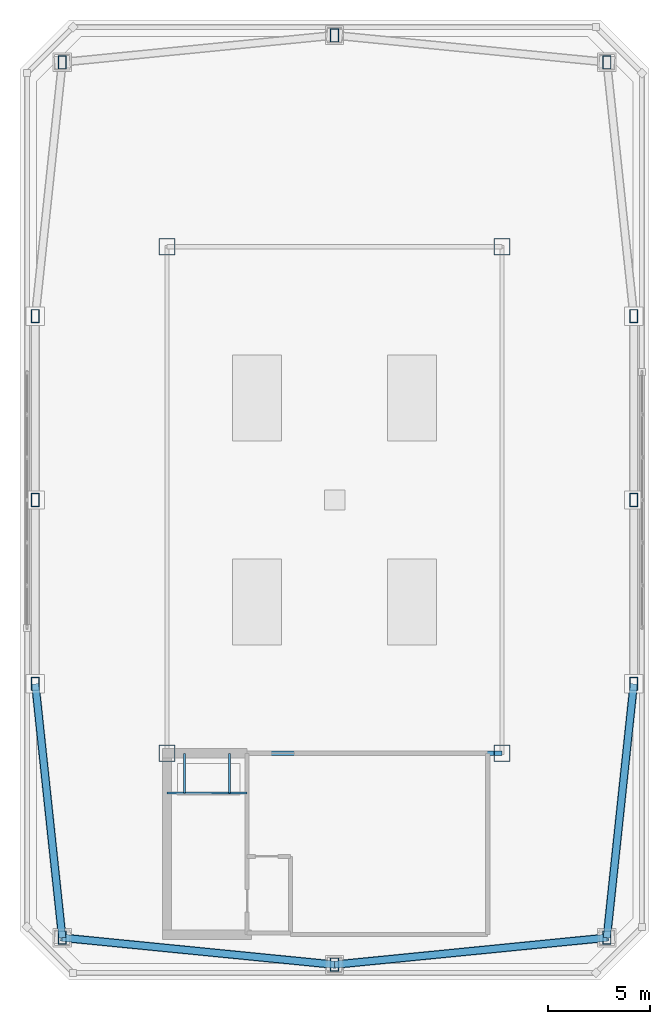
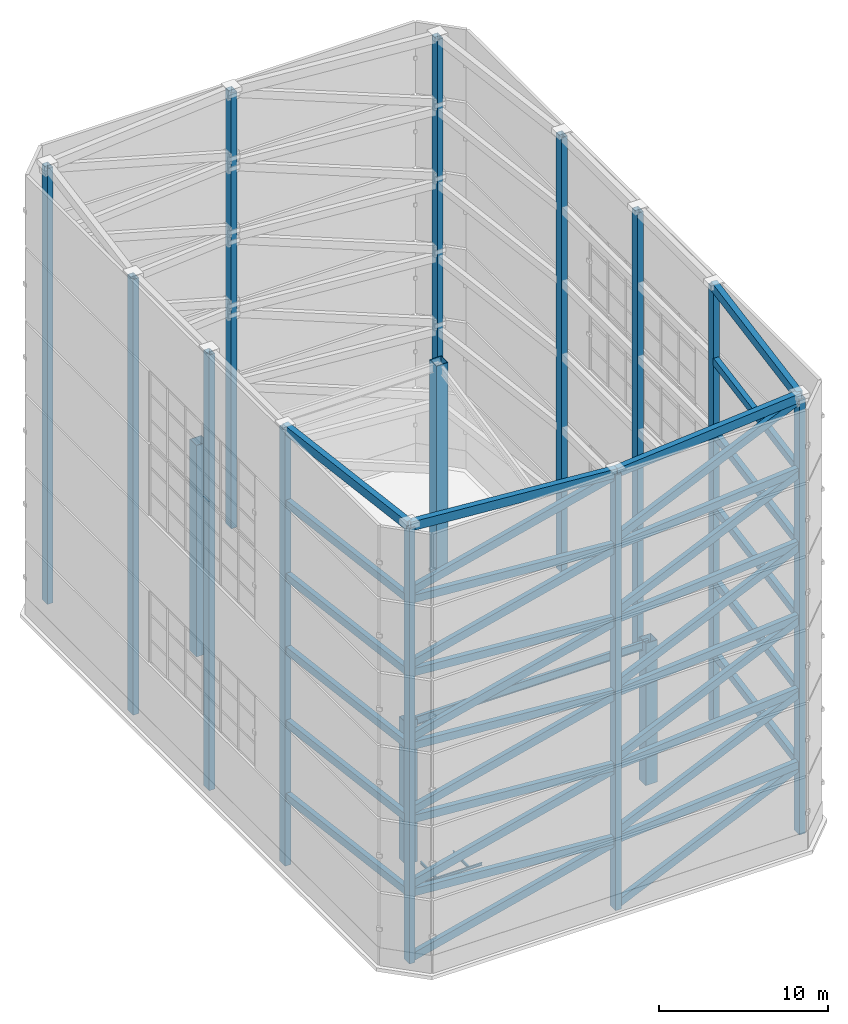
# One storey, part 1 of 47: 28 beams, 16 columns, 12 members.
"""IFC4 building model written with IfcOpenShell, lengths in metres."""

from ifc_helpers import new_model, si_unit, direction, frame, origin, origin_2d, place, context, subcontext, project, spatial, hollow_rectangle, i_section, extrude, material, material_profile, profile_set, type_object, element, save


model = new_model("IFC4")

# Units and contexts
model_context = context("Model", 3, precision=1e-05, world=origin(), true_north=direction((0.0, 1.0)))
body_context = subcontext(model_context, "Body", "Model", "MODEL_VIEW")
ifc_project = project(units=[si_unit("LENGTHUNIT", "METRE"), si_unit("AREAUNIT", "SQUARE_METRE"), si_unit("VOLUMEUNIT", "CUBIC_METRE"), si_unit("PLANEANGLEUNIT", "RADIAN"), si_unit("MASSUNIT", "GRAM", prefix="KILO")], contexts=[model_context])

# Site, building, storey
site_placement = place(None, origin())
site = spatial("IfcSite", under=ifc_project, at=site_placement, CompositionType="ELEMENT")
building_placement = place(site_placement, origin())
building = spatial("IfcBuilding", under=site, at=building_placement, Name="Qiaolan Cultural Towers", CompositionType="ELEMENT")
storey_placement = place(building_placement, frame((0.0, 0.0, 280.199951171875)))
storey = spatial("IfcBuildingStorey", under=building, at=storey_placement, Name="RF", CompositionType="ELEMENT", Elevation=280.199951171875)

# Columns
ifc_material_1 = material(Name="Steel Q355B", Category="steel")
ifc_material_profile_1 = material_profile(ifc_material_1, hollow_rectangle(XDim=0.800048828125, YDim=0.800048828125, WallThickness=0.028076171875, at=origin_2d()), Name="BOX800x800x28")
ifc_profile_set_1 = profile_set([ifc_material_profile_1], Name="Steel Q355B")
column_type_1 = type_object("IfcColumnType", Name="COL-BOX800x800x28", PredefinedType="COLUMN", material=ifc_profile_set_1)
for number, where, z_axis, x_axis, name in (
    (1, (21.800048828125, 21.60009765625, 0.0), (0.0, 0.0, 1.0), (1.0, 0.0, 0.0), "T1 Rooftop Plant Enclosure Column 1"),
    (2, (38.199951171875, 21.60009765625, 0.0), (0.0, 0.0, 1.0), (1.0, 0.0, 0.0), "T1 Rooftop Plant Enclosure Column 2"),
):
    element("IfcColumn", number, at=place(storey_placement, frame(where, z_axis=z_axis, x_axis=x_axis)), inside=storey, type_object=column_type_1, Name=name, PredefinedType="COLUMN", context=body_context, shape_type="SweptSolid", body=[
        extrude(hollow_rectangle(XDim=0.800048828125, YDim=0.800048828125, WallThickness=0.028076171875, at=origin_2d()), origin(), (0.0, 0.0, 1.0), 10.280029296875),
    ])
for number, where, z_axis, x_axis, name in (
    (3, (38.199951171875, 46.39990234375, 0.0), (0.0, 0.0, 1.0), (1.0, 0.0, 0.0), "T1 Rooftop Plant Enclosure Column 3"),
    (4, (21.800048828125, 46.39990234375, 0.0), (0.0, 0.0, 1.0), (1.0, 0.0, 0.0), "T1 Rooftop Plant Enclosure Column 4"),
):
    element("IfcColumn", number, at=place(storey_placement, frame(where, z_axis=z_axis, x_axis=x_axis)), inside=storey, type_object=column_type_1, Name=name, PredefinedType="COLUMN", context=body_context, shape_type="SweptSolid", body=[
        extrude(hollow_rectangle(XDim=0.800048828125, YDim=0.800048828125, WallThickness=0.028076171875, at=origin_2d()), origin(), (0.0, 0.0, 1.0), 15.280029296875),
    ])
ifc_material_2 = material(Name="Steel Q355B", Category="steel")
ifc_material_profile_2 = material_profile(ifc_material_2, hollow_rectangle(XDim=0.39990234375, YDim=0.64990234375, WallThickness=0.02001953125, at=origin_2d()), Name="BOX650x400x20")
ifc_profile_set_2 = profile_set([ifc_material_profile_2], Name="Steel Q355B")
column_type_2 = type_object("IfcColumnType", Name="COL-CROWN-FRAME-11", PredefinedType="COLUMN", material=ifc_profile_set_2)
for number, where, z_axis, x_axis, name in (
    (5, (15.35009765625, 25.0, 0.0), (0.0, 0.0, 1.0), (1.0, 0.0, 0.0), "T1 Crown Frame Post 01 (CROWN FRAME)"),
    (6, (16.669921875, 12.570068359375, 0.0), (0.0, 0.0, 1.0), (1.0, 0.0, 0.0), "T1 Crown Frame Post 02 (CROWN FRAME)"),
    (7, (30.0, 11.25, 0.0), (0.0, 0.0, 1.0), (1.0, 0.0, 0.0), "T1 Crown Frame Post 03 (CROWN FRAME)"),
    (8, (43.330078125, 12.570068359375, 0.0), (0.0, 0.0, 1.0), (1.0, 0.0, 0.0), "T1 Crown Frame Post 04 (CROWN FRAME)"),
    (9, (44.64990234375, 25.0, 0.0), (0.0, 0.0, 1.0), (1.0, 0.0, 0.0), "T1 Crown Frame Post 05 (CROWN FRAME)"),
    (10, (44.64990234375, 34.0, 0.0), (0.0, 0.0, 1.0), (1.0, 0.0, 0.0), "T1 Crown Frame Post 06 (CROWN FRAME)"),
    (11, (44.64990234375, 43.0, 0.0), (0.0, 0.0, 1.0), (1.0, 0.0, 0.0), "T1 Crown Frame Post 07 (CROWN FRAME)"),
    (12, (43.330078125, 55.429931640625, 0.0), (0.0, 0.0, 1.0), (1.0, 0.0, 0.0), "T1 Crown Frame Post 08 (CROWN FRAME)"),
    (13, (30.0, 56.75, 0.0), (0.0, 0.0, 1.0), (1.0, 0.0, 0.0), "T1 Crown Frame Post 09 (CROWN FRAME)"),
    (14, (16.669921875, 55.429931640625, 0.0), (0.0, 0.0, 1.0), (1.0, 0.0, 0.0), "T1 Crown Frame Post 10 (CROWN FRAME)"),
    (15, (15.35009765625, 43.0, 0.0), (0.0, 0.0, 1.0), (1.0, 0.0, 0.0), "T1 Crown Frame Post 11 (CROWN FRAME)"),
    (16, (15.35009765625, 34.0, 0.0), (0.0, 0.0, 1.0), (1.0, 0.0, 0.0), "T1 Crown Frame Post 12 (CROWN FRAME)"),
):
    element("IfcColumn", number, at=place(storey_placement, frame(where, z_axis=z_axis, x_axis=x_axis)), inside=storey, type_object=column_type_2, Name=name, PredefinedType="COLUMN", context=body_context, shape_type="SweptSolid", body=[
        extrude(hollow_rectangle(XDim=0.39990234375, YDim=0.64990234375, WallThickness=0.02001953125, at=origin_2d()), origin(), (0.0, 0.0, 1.0), 31.47509765625),
    ])

# Beams
ifc_material_3 = material(Name="Steel Q355B", Category="steel")
ifc_material_profile_3 = material_profile(ifc_material_3, hollow_rectangle(XDim=0.39990234375, YDim=0.64990234375, WallThickness=0.02001953125, at=origin_2d()), Name="BOX650x400x20")
ifc_profile_set_3 = profile_set([ifc_material_profile_3], Name="Steel Q355B")
beam_type_1 = type_object("IfcBeamType", Name="BM-CROWN-FRAME-1", PredefinedType="BEAM", material=ifc_profile_set_3)
beam_1_placement = place(storey_placement, frame((15.35009765625, 25.0, 31.47509765625), z_axis=(0.105587580773, -0.994410007384, 0.0), x_axis=(0.994410007384, 0.105587580773, 0.0)))
element("IfcBeam", 17, at=beam_1_placement, inside=storey, type_object=beam_type_1, Name="T1 Crown Frame Top Cap Ring Beam T6-1", PredefinedType="BEAM", context=body_context, shape_type="SweptSolid", body=[
    extrude(hollow_rectangle(XDim=0.39990234375, YDim=0.64990234375, WallThickness=0.02001953125, at=origin_2d()), origin(), (0.0, 0.0, 1.0), 12.499755859375),
])
for number, where, z_axis, x_axis, name in (
    (18, (16.669921875, 12.570068359375, 31.47509765625), (0.995132371263, -0.098547266143, 0.0), (0.098547266143, 0.995132371263, 0.0), "T1 Crown Frame Top Cap Ring Beam T6-2"),
    (19, (30.0, 11.25, 31.47509765625), (0.995132371263, 0.098547266143, 0.0), (-0.098547266143, 0.995132371263, 0.0), "T1 Crown Frame Top Cap Ring Beam T6-3"),
):
    element("IfcBeam", number, at=place(storey_placement, frame(where, z_axis=z_axis, x_axis=x_axis)), inside=storey, type_object=beam_type_1, Name=name, PredefinedType="BEAM", context=body_context, shape_type="SweptSolid", body=[
        extrude(hollow_rectangle(XDim=0.39990234375, YDim=0.64990234375, WallThickness=0.02001953125, at=origin_2d()), origin(), (0.0, 0.0, 1.0), 13.395263671875),
    ])
beam_2_placement = place(storey_placement, frame((43.330078125, 12.570068359375, 31.47509765625), z_axis=(0.105587580773, 0.994410007384, 0.0), x_axis=(-0.994410007384, 0.105587580773, 0.0)))
element("IfcBeam", 20, at=beam_2_placement, inside=storey, type_object=beam_type_1, Name="T1 Crown Frame Top Cap Ring Beam T6-4", PredefinedType="BEAM", context=body_context, shape_type="SweptSolid", body=[
    extrude(hollow_rectangle(XDim=0.39990234375, YDim=0.64990234375, WallThickness=0.02001953125, at=origin_2d()), origin(), (0.0, 0.0, 1.0), 12.499755859375),
])
ifc_material_4 = material(Name="Steel Q355B", Category="steel")
ifc_material_profile_4 = material_profile(ifc_material_4, hollow_rectangle(XDim=0.35009765625, YDim=0.550048828125, WallThickness=0.01806640625, at=origin_2d()), Name="BOX550x350x18")
ifc_profile_set_4 = profile_set([ifc_material_profile_4], Name="Steel Q355B")
beam_type_2 = type_object("IfcBeamType", Name="BM-CROWN-FRAME-2", PredefinedType="BEAM", material=ifc_profile_set_4)
beam_3_placement = place(storey_placement, frame((15.35009765625, 25.0, 4.97509765625), z_axis=(0.105587580773, -0.994410007384, 0.0), x_axis=(0.994410007384, 0.105587580773, 0.0)))
element("IfcBeam", 21, at=beam_3_placement, inside=storey, type_object=beam_type_2, Name="T1 Crown Frame Ring Beam T1-1", PredefinedType="BEAM", context=body_context, shape_type="SweptSolid", body=[
    extrude(hollow_rectangle(XDim=0.35009765625, YDim=0.550048828125, WallThickness=0.01806640625, at=origin_2d()), origin(), (0.0, 0.0, 1.0), 12.499755859375),
])
for number, where, z_axis, x_axis, name in (
    (22, (16.669921875, 12.570068359375, 4.97509765625), (0.995132371263, -0.098547266143, 0.0), (0.098547266143, 0.995132371263, 0.0), "T1 Crown Frame Ring Beam T1-2"),
    (23, (30.0, 11.25, 4.97509765625), (0.995132371263, 0.098547266143, 0.0), (-0.098547266143, 0.995132371263, 0.0), "T1 Crown Frame Ring Beam T1-3"),
):
    element("IfcBeam", number, at=place(storey_placement, frame(where, z_axis=z_axis, x_axis=x_axis)), inside=storey, type_object=beam_type_2, Name=name, PredefinedType="BEAM", context=body_context, shape_type="SweptSolid", body=[
        extrude(hollow_rectangle(XDim=0.35009765625, YDim=0.550048828125, WallThickness=0.01806640625, at=origin_2d()), origin(), (0.0, 0.0, 1.0), 13.395263671875),
    ])
for number, where, z_axis, x_axis, name in (
    (24, (43.330078125, 12.570068359375, 4.97509765625), (0.105587580773, 0.994410007384, 0.0), (-0.994410007384, 0.105587580773, 0.0), "T1 Crown Frame Ring Beam T1-4"),
    (25, (15.35009765625, 25.0, 10.275146484375), (0.105587580773, -0.994410007384, 0.0), (0.994410007384, 0.105587580773, 0.0), "T1 Crown Frame Ring Beam T2-1"),
):
    element("IfcBeam", number, at=place(storey_placement, frame(where, z_axis=z_axis, x_axis=x_axis)), inside=storey, type_object=beam_type_2, Name=name, PredefinedType="BEAM", context=body_context, shape_type="SweptSolid", body=[
        extrude(hollow_rectangle(XDim=0.35009765625, YDim=0.550048828125, WallThickness=0.01806640625, at=origin_2d()), origin(), (0.0, 0.0, 1.0), 12.499755859375),
    ])
for number, where, z_axis, x_axis, name in (
    (26, (16.669921875, 12.570068359375, 10.275146484375), (0.995132371263, -0.098547266143, 0.0), (0.098547266143, 0.995132371263, 0.0), "T1 Crown Frame Ring Beam T2-2"),
    (27, (30.0, 11.25, 10.275146484375), (0.995132371263, 0.098547266143, 0.0), (-0.098547266143, 0.995132371263, 0.0), "T1 Crown Frame Ring Beam T2-3"),
):
    element("IfcBeam", number, at=place(storey_placement, frame(where, z_axis=z_axis, x_axis=x_axis)), inside=storey, type_object=beam_type_2, Name=name, PredefinedType="BEAM", context=body_context, shape_type="SweptSolid", body=[
        extrude(hollow_rectangle(XDim=0.35009765625, YDim=0.550048828125, WallThickness=0.01806640625, at=origin_2d()), origin(), (0.0, 0.0, 1.0), 13.395263671875),
    ])
for number, where, z_axis, x_axis, name in (
    (28, (43.330078125, 12.570068359375, 10.275146484375), (0.105587580773, 0.994410007384, 0.0), (-0.994410007384, 0.105587580773, 0.0), "T1 Crown Frame Ring Beam T2-4"),
    (29, (15.35009765625, 25.0, 15.574951171875), (0.105587580773, -0.994410007384, 0.0), (0.994410007384, 0.105587580773, 0.0), "T1 Crown Frame Ring Beam T3-1"),
):
    element("IfcBeam", number, at=place(storey_placement, frame(where, z_axis=z_axis, x_axis=x_axis)), inside=storey, type_object=beam_type_2, Name=name, PredefinedType="BEAM", context=body_context, shape_type="SweptSolid", body=[
        extrude(hollow_rectangle(XDim=0.35009765625, YDim=0.550048828125, WallThickness=0.01806640625, at=origin_2d()), origin(), (0.0, 0.0, 1.0), 12.499755859375),
    ])
for number, where, z_axis, x_axis, name in (
    (30, (16.669921875, 12.570068359375, 15.574951171875), (0.995132371263, -0.098547266143, 0.0), (0.098547266143, 0.995132371263, 0.0), "T1 Crown Frame Ring Beam T3-2"),
    (31, (30.0, 11.25, 15.574951171875), (0.995132371263, 0.098547266143, 0.0), (-0.098547266143, 0.995132371263, 0.0), "T1 Crown Frame Ring Beam T3-3"),
):
    element("IfcBeam", number, at=place(storey_placement, frame(where, z_axis=z_axis, x_axis=x_axis)), inside=storey, type_object=beam_type_2, Name=name, PredefinedType="BEAM", context=body_context, shape_type="SweptSolid", body=[
        extrude(hollow_rectangle(XDim=0.35009765625, YDim=0.550048828125, WallThickness=0.01806640625, at=origin_2d()), origin(), (0.0, 0.0, 1.0), 13.395263671875),
    ])
for number, where, z_axis, x_axis, name in (
    (32, (43.330078125, 12.570068359375, 15.574951171875), (0.105587580773, 0.994410007384, 0.0), (-0.994410007384, 0.105587580773, 0.0), "T1 Crown Frame Ring Beam T3-4"),
    (33, (15.35009765625, 25.0, 20.875), (0.105587580773, -0.994410007384, 0.0), (0.994410007384, 0.105587580773, 0.0), "T1 Crown Frame Ring Beam T4-1"),
):
    element("IfcBeam", number, at=place(storey_placement, frame(where, z_axis=z_axis, x_axis=x_axis)), inside=storey, type_object=beam_type_2, Name=name, PredefinedType="BEAM", context=body_context, shape_type="SweptSolid", body=[
        extrude(hollow_rectangle(XDim=0.35009765625, YDim=0.550048828125, WallThickness=0.01806640625, at=origin_2d()), origin(), (0.0, 0.0, 1.0), 12.499755859375),
    ])
for number, where, z_axis, x_axis, name in (
    (34, (16.669921875, 12.570068359375, 20.875), (0.995132371263, -0.098547266143, 0.0), (0.098547266143, 0.995132371263, 0.0), "T1 Crown Frame Ring Beam T4-2"),
    (35, (30.0, 11.25, 20.875), (0.995132371263, 0.098547266143, 0.0), (-0.098547266143, 0.995132371263, 0.0), "T1 Crown Frame Ring Beam T4-3"),
):
    element("IfcBeam", number, at=place(storey_placement, frame(where, z_axis=z_axis, x_axis=x_axis)), inside=storey, type_object=beam_type_2, Name=name, PredefinedType="BEAM", context=body_context, shape_type="SweptSolid", body=[
        extrude(hollow_rectangle(XDim=0.35009765625, YDim=0.550048828125, WallThickness=0.01806640625, at=origin_2d()), origin(), (0.0, 0.0, 1.0), 13.395263671875),
    ])
for number, where, z_axis, x_axis, name in (
    (36, (43.330078125, 12.570068359375, 20.875), (0.105587580773, 0.994410007384, 0.0), (-0.994410007384, 0.105587580773, 0.0), "T1 Crown Frame Ring Beam T4-4"),
    (37, (15.35009765625, 25.0, 26.175048828125), (0.105587580773, -0.994410007384, 0.0), (0.994410007384, 0.105587580773, 0.0), "T1 Crown Frame Ring Beam T5-1"),
):
    element("IfcBeam", number, at=place(storey_placement, frame(where, z_axis=z_axis, x_axis=x_axis)), inside=storey, type_object=beam_type_2, Name=name, PredefinedType="BEAM", context=body_context, shape_type="SweptSolid", body=[
        extrude(hollow_rectangle(XDim=0.35009765625, YDim=0.550048828125, WallThickness=0.01806640625, at=origin_2d()), origin(), (0.0, 0.0, 1.0), 12.499755859375),
    ])
for number, where, z_axis, x_axis, name in (
    (38, (16.669921875, 12.570068359375, 26.175048828125), (0.995132371263, -0.098547266143, 0.0), (0.098547266143, 0.995132371263, 0.0), "T1 Crown Frame Ring Beam T5-2"),
    (39, (30.0, 11.25, 26.175048828125), (0.995132371263, 0.098547266143, 0.0), (-0.098547266143, 0.995132371263, 0.0), "T1 Crown Frame Ring Beam T5-3"),
):
    element("IfcBeam", number, at=place(storey_placement, frame(where, z_axis=z_axis, x_axis=x_axis)), inside=storey, type_object=beam_type_2, Name=name, PredefinedType="BEAM", context=body_context, shape_type="SweptSolid", body=[
        extrude(hollow_rectangle(XDim=0.35009765625, YDim=0.550048828125, WallThickness=0.01806640625, at=origin_2d()), origin(), (0.0, 0.0, 1.0), 13.395263671875),
    ])
beam_4_placement = place(storey_placement, frame((43.330078125, 12.570068359375, 26.175048828125), z_axis=(0.105587580773, 0.994410007384, 0.0), x_axis=(-0.994410007384, 0.105587580773, 0.0)))
element("IfcBeam", 40, at=beam_4_placement, inside=storey, type_object=beam_type_2, Name="T1 Crown Frame Ring Beam T5-4", PredefinedType="BEAM", context=body_context, shape_type="SweptSolid", body=[
    extrude(hollow_rectangle(XDim=0.35009765625, YDim=0.550048828125, WallThickness=0.01806640625, at=origin_2d()), origin(), (0.0, 0.0, 1.0), 12.499755859375),
])
ifc_material_5 = material(Name="Steel Q355B", Category="steel")
ifc_material_profile_5 = material_profile(ifc_material_5, i_section(OverallWidth=0.199951171875, OverallDepth=0.60009765625, WebThickness=0.010986328125, FlangeThickness=0.01708984375, at=origin_2d()), Name="HN600x200x11x17")
ifc_profile_set_5 = profile_set([ifc_material_profile_5], Name="Steel Q355B")
beam_type_3 = type_object("IfcBeamType", Name="BM-SPD-HN600x200x11x17", PredefinedType="SPANDREL", material=ifc_profile_set_5)
beam_5_placement = place(storey_placement, frame((21.800048828125, 21.60009765625, 9.920166015625), z_axis=(1.0, 0.0, 0.0), x_axis=(0.0, 1.0, 0.0)))
element("IfcBeam", 41, at=beam_5_placement, inside=storey, type_object=beam_type_3, Name="T1 Sloped Plant Roof Edge Rafter 1", PredefinedType="SPANDREL", context=body_context, shape_type="SweptSolid", body=[
    extrude(i_section(OverallWidth=0.199951171875, OverallDepth=0.60009765625, WebThickness=0.010986328125, FlangeThickness=0.01708984375, at=origin_2d()), origin(), (0.0, 0.0, 1.0), 16.39990234375),
])
ifc_material_6 = material(Name="Steel Q355B", Category="steel")
ifc_material_profile_6 = material_profile(ifc_material_6, i_section(OverallWidth=0.10009765625, OverallDepth=0.199951171875, WebThickness=0.005615234375, FlangeThickness=0.008056640625, at=origin_2d()), Name="HN200x100x5.5x8")
ifc_profile_set_6 = profile_set([ifc_material_profile_6], Name="Steel Q355B")
beam_type_4 = type_object("IfcBeamType", Name="BM-STTRIM-200", PredefinedType="BEAM", material=ifc_profile_set_6)
beam_6_placement = place(storey_placement, frame((21.800048828125, 19.659912109375, -0.4599609375), z_axis=(1.0, 0.0, 0.0), x_axis=(0.0, 1.0, 0.0)))
element("IfcBeam", 42, at=beam_6_placement, inside=storey, type_object=beam_type_4, Name="RF ST-W1 Floor Landing Header Beam", PredefinedType="BEAM", context=body_context, shape_type="SweptSolid", body=[
    extrude(i_section(OverallWidth=0.10009765625, OverallDepth=0.199951171875, WebThickness=0.005615234375, FlangeThickness=0.008056640625, at=origin_2d()), origin(), (0.0, 0.0, 1.0), 3.919921875),
])
for number, where, z_axis, x_axis, name in (
    (43, (22.64990234375, 21.60009765625, -0.4599609375), (0.0, -1.0, 0.0), (1.0, 0.0, 0.0), "RF ST-W1 Floor Landing Stringer 1"),
    (44, (24.85009765625, 21.60009765625, -0.4599609375), (0.0, -1.0, 0.0), (1.0, 0.0, 0.0), "RF ST-W1 Floor Landing Stringer 2"),
):
    element("IfcBeam", number, at=place(storey_placement, frame(where, z_axis=z_axis, x_axis=x_axis)), inside=storey, type_object=beam_type_4, Name=name, PredefinedType="BEAM", context=body_context, shape_type="SweptSolid", body=[
        extrude(i_section(OverallWidth=0.10009765625, OverallDepth=0.199951171875, WebThickness=0.005615234375, FlangeThickness=0.008056640625, at=origin_2d()), origin(), (0.0, 0.0, 1.0), 1.940185546875),
    ])

# Members
ifc_material_7 = material(Name="Steel Q355B", Category="steel")
ifc_material_profile_7 = material_profile(ifc_material_7, hollow_rectangle(XDim=0.35009765625, YDim=0.550048828125, WallThickness=0.01806640625, at=origin_2d()), Name="BOX550x350x18")
ifc_profile_set_7 = profile_set([ifc_material_profile_7], Name="Steel Q355B")
member_type = type_object("IfcMemberType", Name="MBR-CROWN-FRAME-12", PredefinedType="USERDEFINED", material=ifc_profile_set_7)
for number, where, z_axis, x_axis, name in (
    (45, (16.669921875, 12.570068359375, 0.25), (0.941722893322, -0.093258162714, 0.323204126336), (0.098547266143, 0.995132371263, 0.0), "T1 Crown Frame Wind Brace T1-2"),
    (46, (30.0, 11.25, 0.25), (0.941722893322, 0.093258162714, 0.323204126336), (-0.098547266143, 0.995132371263, 0.0), "T1 Crown Frame Wind Brace T1-3"),
    (47, (16.669921875, 12.570068359375, 5.550048828125), (0.941722893322, -0.093258162714, 0.323204126336), (0.098547266143, 0.995132371263, 0.0), "T1 Crown Frame Wind Brace T2-2"),
    (48, (30.0, 11.25, 5.550048828125), (0.941722893322, 0.093258162714, 0.323204126336), (-0.098547266143, 0.995132371263, 0.0), "T1 Crown Frame Wind Brace T2-3"),
    (49, (16.669921875, 12.570068359375, 10.85009765625), (0.941722893322, -0.093258162714, 0.323204126336), (0.098547266143, 0.995132371263, 0.0), "T1 Crown Frame Wind Brace T3-2"),
    (50, (30.0, 11.25, 10.85009765625), (0.941722893322, 0.093258162714, 0.323204126336), (-0.098547266143, 0.995132371263, 0.0), "T1 Crown Frame Wind Brace T3-3"),
    (51, (16.669921875, 12.570068359375, 16.150146484375), (0.941722893322, -0.093258162714, 0.323204126336), (0.098547266143, 0.995132371263, 0.0), "T1 Crown Frame Wind Brace T4-2"),
    (52, (30.0, 11.25, 16.150146484375), (0.941722893322, 0.093258162714, 0.323204126336), (-0.098547266143, 0.995132371263, 0.0), "T1 Crown Frame Wind Brace T4-3"),
    (53, (16.669921875, 12.570068359375, 21.449951171875), (0.941717643574, -0.093257642835, 0.323219572172), (0.098547266143, 0.995132371263, 0.0), "T1 Crown Frame Wind Brace T5-2"),
    (54, (30.0, 11.25, 21.449951171875), (0.941717643574, 0.093257642835, 0.323219572172), (-0.098547266143, 0.995132371263, 0.0), "T1 Crown Frame Wind Brace T5-3"),
    (55, (16.669921875, 12.570068359375, 26.75), (0.941722893322, -0.093258162714, 0.323204126336), (0.098547266143, 0.995132371263, 0.0), "T1 Crown Frame Wind Brace T6-2"),
    (56, (30.0, 11.25, 26.75), (0.941722893322, 0.093258162714, 0.323204126336), (-0.098547266143, 0.995132371263, 0.0), "T1 Crown Frame Wind Brace T6-3"),
):
    element("IfcMember", number, at=place(storey_placement, frame(where, z_axis=z_axis, x_axis=x_axis)), inside=storey, type_object=member_type, Name=name, ObjectType="CROWN FRAME", PredefinedType="USERDEFINED", context=body_context, shape_type="SweptSolid", body=[
        extrude(hollow_rectangle(XDim=0.35009765625, YDim=0.550048828125, WallThickness=0.01806640625, at=origin_2d()), origin(), (0.0, 0.0, 1.0), 14.155029296875),
    ])

save(model, "model.ifc")
